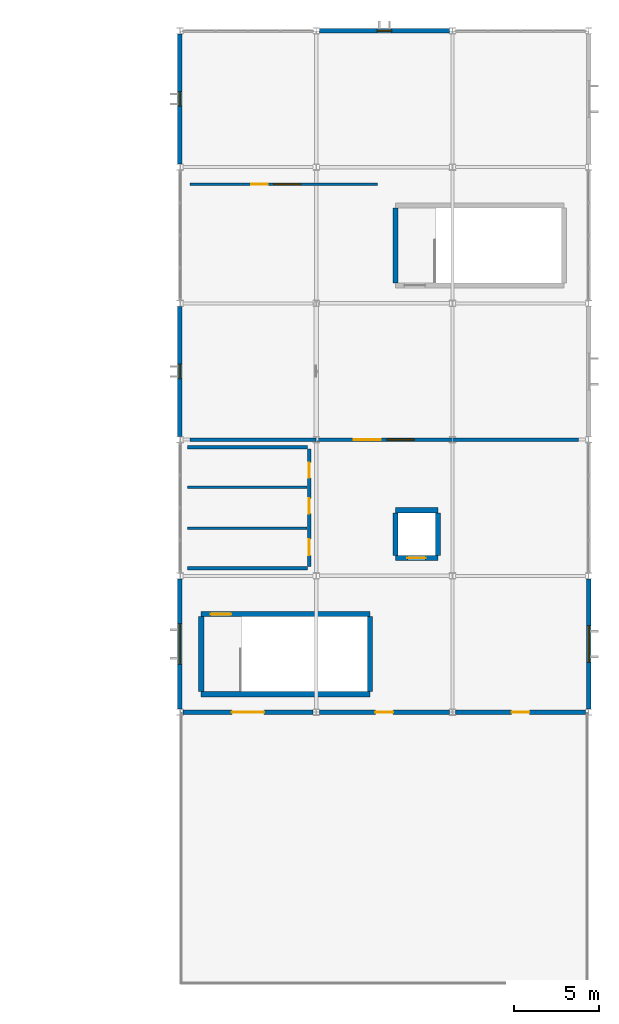
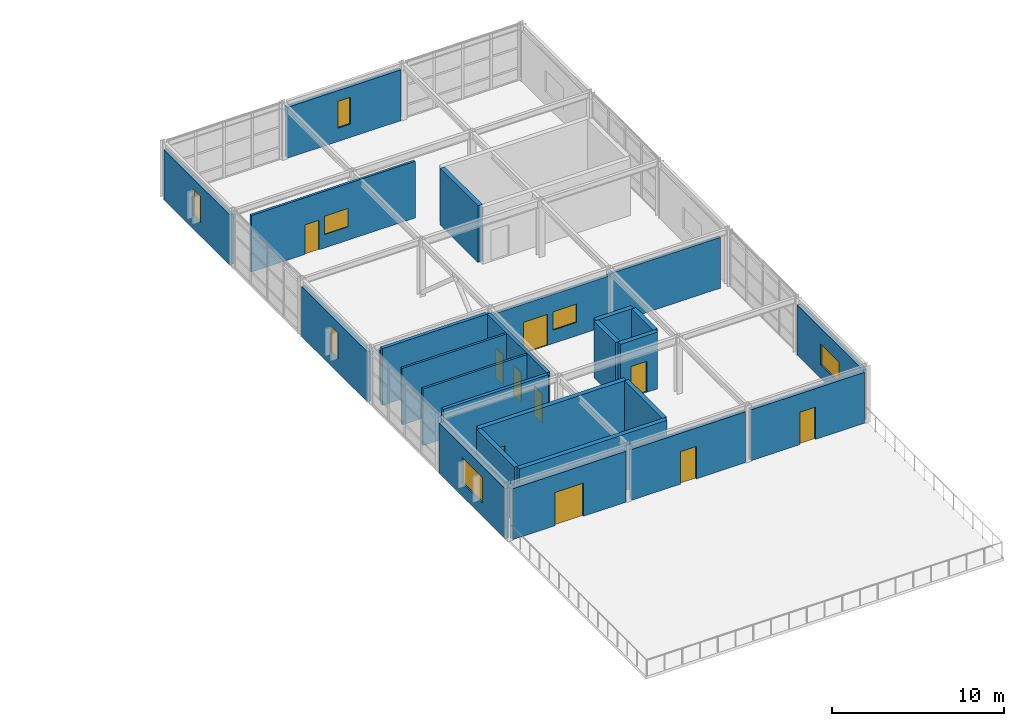
# One storey, part 29 of 34: 26 walls, 10 doors, 7 windows, 17 openings.
"""IFC4 building model written with IfcOpenShell, lengths in metres."""

from ifc_helpers import new_model, si_unit, direction, frame, frame_2d, origin, place, context, subcontext, project, spatial, rectangle, extrude, material, layer, layer_set, type_object, element, fill, save


model = new_model("IFC4")

# Units and contexts
model_context = context("Model", 3, precision=1e-05, world=origin(), true_north=direction((0.0, 1.0)))
body_context = subcontext(model_context, "Body", "Model", "MODEL_VIEW")
ifc_project = project(units=[si_unit("LENGTHUNIT", "METRE"), si_unit("AREAUNIT", "SQUARE_METRE"), si_unit("VOLUMEUNIT", "CUBIC_METRE"), si_unit("PLANEANGLEUNIT", "RADIAN"), si_unit("MASSUNIT", "GRAM", prefix="KILO")], contexts=[model_context])

# Site, building, storey
site_placement = place(None, origin())
site = spatial("IfcSite", under=ifc_project, at=site_placement, CompositionType="ELEMENT")
building_placement = place(site_placement, origin())
building = spatial("IfcBuilding", under=site, at=building_placement, Name="Varnela Railside Interchange", CompositionType="ELEMENT")
storey_placement = place(building_placement, frame((0.0, 0.0, 19.60009765625)))
storey = spatial("IfcBuildingStorey", under=building, at=storey_placement, Name="L04", CompositionType="ELEMENT", Elevation=19.60009765625)

# Walls
ifc_material_1 = material(Name="Gypsum acoustic board")
ifc_layer_1 = layer(ifc_material_1, 0.14990234375)
ifc_layer_set_1 = layer_set([ifc_layer_1], Name="Gypsum acoustic board")
wall_type_1 = type_object("IfcWallType", Name="Acoustic Drywall Partition IW-01", PredefinedType="PARTITIONING", material=ifc_layer_set_1)
for number, where, z_axis, x_axis, name in (
    (1, (116.449951171875, 64.800048828125, 0.0), (0.0, 0.0, 1.0), (1.0, 0.0, 0.0), "Acoustic Drywall Partition IW-01 (L04) (WL-0901)"),
    (2, (116.449951171875, 67.199951171875, 0.0), (0.0, 0.0, 1.0), (1.0, 0.0, 0.0), "Acoustic Drywall Partition IW-01 (L04) (WL-0902)"),
):
    element("IfcWall", number, at=place(storey_placement, frame(where, z_axis=z_axis, x_axis=x_axis)), inside=storey, type_object=wall_type_1, Name=name, PredefinedType="PARTITIONING", context=body_context, shape_type="SweptSolid", body=[
        extrude(rectangle(XDim=7.0, YDim=0.14990234375, at=frame_2d((3.5, 0.0))), origin(), (0.0, 0.0, 1.0), 4.02001953125),
    ])

# Wall, openings, door, window
wall_1_placement = place(storey_placement, frame((116.60009765625, 85.0, 0.0), z_axis=(0.0, 0.0, 1.0), x_axis=(1.0, 0.0, 0.0)))
wall_1 = element("IfcWall", 3, at=wall_1_placement, inside=storey, type_object=wall_type_1, Name="Acoustic Drywall Partition IW-01 (L04) (WL-0906)", PredefinedType="PARTITIONING", context=body_context, shape_type="SweptSolid", body=[
    extrude(rectangle(XDim=11.0, YDim=0.14990234375, at=frame_2d((5.5, 0.0))), origin(), (0.0, 0.0, 1.0), 4.02001953125),
])
opening_1_placement = place(wall_1_placement, frame((3.60009765625, 0.0, 0.0)))
opening_1 = element("IfcOpeningElement", 4, at=opening_1_placement, cuts=wall_1, Name="Opening D-275", PredefinedType="OPENING", context=body_context, shape_type="SweptSolid", body=[
    extrude(rectangle(XDim=0.949951171875, YDim=2.10009765625, at=frame_2d((0.47509765625, 1.050048828125))), frame((0.0, 0.0849609375, 0.0), z_axis=(0.0, -1.0, 0.0), x_axis=(1.0, 0.0, 0.0)), (0.0, 0.0, 1.0), 0.169921875),
])
opening_2_placement = place(wall_1_placement, frame((4.89990234375, 0.0, 0.949951171875)))
opening_2 = element("IfcOpeningElement", 5, at=opening_2_placement, cuts=wall_1, Name="Opening IW-018", PredefinedType="OPENING", context=body_context, shape_type="SweptSolid", body=[
    extrude(rectangle(XDim=1.60009765625, YDim=1.300048828125, at=frame_2d((0.800048828125, 0.64990234375))), frame((0.0, 0.0849609375, 0.0), z_axis=(0.0, -1.0, 0.0), x_axis=(1.0, 0.0, 0.0)), (0.0, 0.0, 1.0), 0.169921875),
])
ifc_material_2 = material(Name="Timber solid core", Category="wood")
door_type_1 = type_object("IfcDoorType", Name="DR-SGL-950-ACC", OperationType="NOTDEFINED", PredefinedType="DOOR", material=ifc_material_2)
door_1_placement = place(opening_1_placement, origin())
door_1 = element("IfcDoor", 6, at=door_1_placement, inside=storey, type_object=door_type_1, Name="Door D-275", OperationType="SINGLE_SWING_LEFT", OverallHeight=2.10009765625, OverallWidth=0.949951171875, PredefinedType="DOOR", context=body_context, shape_type="SweptSolid", body=[
    extrude(rectangle(XDim=0.949951171875, YDim=2.10009765625, at=frame_2d((0.47509765625, 1.050048828125))), frame((0.0, 0.02490234375, 0.0), z_axis=(0.0, -1.0, 0.0), x_axis=(1.0, 0.0, 0.0)), (0.0, 0.0, 1.0), 0.050048828125),
])
fill(opening_1, door_1)
ifc_material_3 = material(Name="Glass laminated double", Category="glass")
window_type_1 = type_object("IfcWindowType", Name="Interior Acoustic Vision Window IW-WN1", PartitioningType="SINGLE_PANEL", PredefinedType="WINDOW", material=ifc_material_3)
window_1_placement = place(opening_2_placement, origin())
window_1 = element("IfcWindow", 7, at=window_1_placement, inside=storey, type_object=window_type_1, Name="Window IW-018", OverallHeight=1.300048828125, OverallWidth=1.60009765625, PartitioningType="SINGLE_PANEL", PredefinedType="WINDOW", context=body_context, shape_type="SweptSolid", body=[
    extrude(rectangle(XDim=1.60009765625, YDim=1.300048828125, at=frame_2d((0.800048828125, 0.64990234375))), frame((0.0, 0.030029296875, 0.0), z_axis=(0.0, -1.0, 0.0), x_axis=(1.0, 0.0, 0.0)), (0.0, 0.0, 1.0), 0.06005859375),
])
fill(opening_2, window_1)

# Wall
ifc_layer_2 = layer(ifc_material_1, 0.179931640625)
ifc_layer_set_2 = layer_set([ifc_layer_2], Name="Gypsum acoustic board")
wall_type_2 = type_object("IfcWallType", Name="Double-Stud Corridor Wall IW-02", PredefinedType="PARTITIONING", material=ifc_layer_set_2)
wall_2_placement = place(storey_placement, frame((116.60009765625, 70.0, 0.0), z_axis=(0.0, 0.0, 1.0), x_axis=(1.0, 0.0, 0.0)))
element("IfcWall", 8, at=wall_2_placement, inside=storey, type_object=wall_type_2, Name="Double-Stud Corridor Wall IW-02 (L04) (WL-0898)", PredefinedType="PARTITIONING", context=body_context, shape_type="SweptSolid", body=[
    extrude(rectangle(XDim=7.39990234375, YDim=0.199951171875, at=frame_2d((3.699951171875, 0.0))), origin(), (0.0, 0.0, 1.0), 3.60986328125),
])

# Wall, openings, door, window
wall_3_placement = place(storey_placement, frame((124.0, 70.0, 0.0), z_axis=(0.0, 0.0, 1.0), x_axis=(1.0, 0.0, 0.0)))
wall_3 = element("IfcWall", 9, at=wall_3_placement, inside=storey, type_object=wall_type_2, Name="Double-Stud Corridor Wall IW-02 (L04) (WL-0899)", PredefinedType="PARTITIONING", context=body_context, shape_type="SweptSolid", body=[
    extrude(rectangle(XDim=8.0, YDim=0.199951171875, at=frame_2d((4.0, 0.0))), origin(), (0.0, 0.0, 1.0), 3.48681640625),
])
opening_3_placement = place(wall_3_placement, frame((2.199951171875, 0.0, 0.0)))
opening_3 = element("IfcOpeningElement", 10, at=opening_3_placement, cuts=wall_3, Name="Opening D-274", PredefinedType="OPENING", context=body_context, shape_type="SweptSolid", body=[
    extrude(rectangle(XDim=1.60009765625, YDim=2.199951171875, at=frame_2d((0.800048828125, 1.10009765625))), frame((0.0, 0.10986328125, 0.0), z_axis=(0.0, -1.0, 0.0), x_axis=(1.0, 0.0, 0.0)), (0.0, 0.0, 1.0), 0.219970703125),
])
opening_4_placement = place(wall_3_placement, frame((4.14990234375, 0.0, 0.949951171875)))
opening_4 = element("IfcOpeningElement", 11, at=opening_4_placement, cuts=wall_3, Name="Opening IW-017", PredefinedType="OPENING", context=body_context, shape_type="SweptSolid", body=[
    extrude(rectangle(XDim=1.60009765625, YDim=1.300048828125, at=frame_2d((0.800048828125, 0.64990234375))), frame((0.0, 0.10986328125, 0.0), z_axis=(0.0, -1.0, 0.0), x_axis=(1.0, 0.0, 0.0)), (0.0, 0.0, 1.0), 0.219970703125),
])
door_type_2 = type_object("IfcDoorType", Name="DR-DBL-1600", OperationType="DOUBLE_DOOR_SINGLE_SWING", PredefinedType="DOOR", material=ifc_material_3)
door_2_placement = place(opening_3_placement, origin())
door_2 = element("IfcDoor", 12, at=door_2_placement, inside=storey, type_object=door_type_2, Name="Door D-274", OperationType="DOUBLE_DOOR_SINGLE_SWING", OverallHeight=2.199951171875, OverallWidth=1.60009765625, PredefinedType="DOOR", context=body_context, shape_type="SweptSolid", body=[
    extrude(rectangle(XDim=1.60009765625, YDim=2.199951171875, at=frame_2d((0.800048828125, 1.10009765625))), frame((0.0, 0.02490234375, 0.0), z_axis=(0.0, -1.0, 0.0), x_axis=(1.0, 0.0, 0.0)), (0.0, 0.0, 1.0), 0.050048828125),
])
fill(opening_3, door_2)
window_2_placement = place(opening_4_placement, origin())
window_2 = element("IfcWindow", 13, at=window_2_placement, inside=storey, type_object=window_type_1, Name="Window IW-017", OverallHeight=1.300048828125, OverallWidth=1.60009765625, PartitioningType="SINGLE_PANEL", PredefinedType="WINDOW", context=body_context, shape_type="SweptSolid", body=[
    extrude(rectangle(XDim=1.60009765625, YDim=1.300048828125, at=frame_2d((0.800048828125, 0.64990234375))), frame((0.0, 0.030029296875, 0.0), z_axis=(0.0, -1.0, 0.0), x_axis=(1.0, 0.0, 0.0)), (0.0, 0.0, 1.0), 0.06005859375),
])
fill(opening_4, window_2)

# Wall
wall_4_placement = place(storey_placement, frame((132.0, 70.0, 0.0), z_axis=(0.0, 0.0, 1.0), x_axis=(1.0, 0.0, 0.0)))
element("IfcWall", 14, at=wall_4_placement, inside=storey, type_object=wall_type_2, Name="Double-Stud Corridor Wall IW-02 (L04) (WL-0900)", PredefinedType="PARTITIONING", context=body_context, shape_type="SweptSolid", body=[
    extrude(rectangle(XDim=7.39990234375, YDim=0.199951171875, at=frame_2d((3.699951171875, 0.0))), origin(), (0.0, 0.0, 1.0), 3.60986328125),
])

# Wall, openings, doors
ifc_material_4 = material(Name="Masonry concrete block", Category="masonry")
ifc_layer_3 = layer(ifc_material_4, 0.2099609375)
ifc_layer_set_3 = layer_set([ifc_layer_3], Name="Masonry concrete block")
wall_type_3 = type_object("IfcWallType", Name="Sanitary Plumbing Chase Wall IW-04", PredefinedType="PLUMBINGWALL", material=ifc_layer_set_3)
wall_5_placement = place(storey_placement, frame((123.60009765625, 62.550048828125, 0.0), z_axis=(0.0, 0.0, 1.0), x_axis=(0.0, 1.0, 0.0)))
wall_5 = element("IfcWall", 15, at=wall_5_placement, inside=storey, type_object=wall_type_3, Name="Sanitary Plumbing Chase Wall IW-04 (L04) (WL-0903)", PredefinedType="PLUMBINGWALL", context=body_context, shape_type="SweptSolid", body=[
    extrude(rectangle(XDim=6.89990234375, YDim=0.219970703125, at=frame_2d((3.449951171875, 0.0))), origin(), (0.0, 0.0, 1.0), 4.02001953125),
])
opening_5_placement = place(wall_5_placement, frame((0.64990234375, 0.0, 0.0)))
opening_5 = element("IfcOpeningElement", 16, at=opening_5_placement, cuts=wall_5, Name="Opening D-271", PredefinedType="OPENING", context=body_context, shape_type="SweptSolid", body=[
    extrude(rectangle(XDim=0.949951171875, YDim=2.10009765625, at=frame_2d((0.47509765625, 1.050048828125))), frame((0.0, 0.119873046875, 0.0), z_axis=(0.0, -1.0, 0.0), x_axis=(1.0, 0.0, 0.0)), (0.0, 0.0, 1.0), 0.239990234375),
])
opening_6_placement = place(wall_5_placement, frame((3.10009765625, 0.0, 0.0)))
opening_6 = element("IfcOpeningElement", 17, at=opening_6_placement, cuts=wall_5, Name="Opening D-272", PredefinedType="OPENING", context=body_context, shape_type="SweptSolid", body=[
    extrude(rectangle(XDim=0.89990234375, YDim=2.10009765625, at=frame_2d((0.449951171875, 1.050048828125))), frame((0.0, 0.119873046875, 0.0), z_axis=(0.0, -1.0, 0.0), x_axis=(1.0, 0.0, 0.0)), (0.0, 0.0, 1.0), 0.239990234375),
])
opening_7_placement = place(wall_5_placement, frame((5.199951171875, 0.0, 0.0)))
opening_7 = element("IfcOpeningElement", 18, at=opening_7_placement, cuts=wall_5, Name="Opening D-273", PredefinedType="OPENING", context=body_context, shape_type="SweptSolid", body=[
    extrude(rectangle(XDim=0.89990234375, YDim=2.10009765625, at=frame_2d((0.449951171875, 1.050048828125))), frame((0.0, 0.119873046875, 0.0), z_axis=(0.0, -1.0, 0.0), x_axis=(1.0, 0.0, 0.0)), (0.0, 0.0, 1.0), 0.239990234375),
])
door_type_3 = type_object("IfcDoorType", Name="DR-SGL-900", OperationType="NOTDEFINED", PredefinedType="DOOR", material=ifc_material_2)
door_3_placement = place(opening_6_placement, origin())
door_3 = element("IfcDoor", 19, at=door_3_placement, inside=storey, type_object=door_type_3, Name="Door D-272", OperationType="SINGLE_SWING_LEFT", OverallHeight=2.10009765625, OverallWidth=0.89990234375, PredefinedType="DOOR", context=body_context, shape_type="SweptSolid", body=[
    extrude(rectangle(XDim=0.89990234375, YDim=2.10009765625, at=frame_2d((0.449951171875, 1.050048828125))), frame((0.0, 0.02490234375, 0.0), z_axis=(0.0, -1.0, 0.0), x_axis=(1.0, 0.0, 0.0)), (0.0, 0.0, 1.0), 0.050048828125),
])
fill(opening_6, door_3)
door_4_placement = place(opening_7_placement, origin())
door_4 = element("IfcDoor", 20, at=door_4_placement, inside=storey, type_object=door_type_3, Name="Door D-273", OperationType="SINGLE_SWING_RIGHT", OverallHeight=2.10009765625, OverallWidth=0.89990234375, PredefinedType="DOOR", context=body_context, shape_type="SweptSolid", body=[
    extrude(rectangle(XDim=0.89990234375, YDim=2.10009765625, at=frame_2d((0.449951171875, 1.050048828125))), frame((0.0, 0.02490234375, 0.0), z_axis=(0.0, -1.0, 0.0), x_axis=(1.0, 0.0, 0.0)), (0.0, 0.0, 1.0), 0.050048828125),
])
fill(opening_7, door_4)
door_5_placement = place(opening_5_placement, origin())
door_5 = element("IfcDoor", 21, at=door_5_placement, inside=storey, type_object=door_type_1, Name="Door D-271", OperationType="SINGLE_SWING_RIGHT", OverallHeight=2.10009765625, OverallWidth=0.949951171875, PredefinedType="DOOR", context=body_context, shape_type="SweptSolid", body=[
    extrude(rectangle(XDim=0.949951171875, YDim=2.10009765625, at=frame_2d((0.47509765625, 1.050048828125))), frame((0.0, 0.02490234375, 0.0), z_axis=(0.0, -1.0, 0.0), x_axis=(1.0, 0.0, 0.0)), (0.0, 0.0, 1.0), 0.050048828125),
])
fill(opening_5, door_5)

# Walls
for number, where, z_axis, x_axis, name in (
    (22, (116.449951171875, 69.550048828125, 0.0), (0.0, 0.0, 1.0), (1.0, 0.0, 0.0), "Sanitary Plumbing Chase Wall IW-04 (L04) (WL-0904)"),
    (23, (116.449951171875, 62.449951171875, 0.0), (0.0, 0.0, 1.0), (1.0, 0.0, 0.0), "Sanitary Plumbing Chase Wall IW-04 (L04) (WL-0905)"),
):
    element("IfcWall", number, at=place(storey_placement, frame(where, z_axis=z_axis, x_axis=x_axis)), inside=storey, type_object=wall_type_3, Name=name, PredefinedType="PLUMBINGWALL", context=body_context, shape_type="SweptSolid", body=[
        extrude(rectangle(XDim=7.050048828125, YDim=0.219970703125, at=frame_2d((3.52490234375, 0.0))), origin(), (0.0, 0.0, 1.0), 4.02001953125),
    ])

# Wall, opening, door
ifc_material_5 = material(Name="Concrete C50", Category="concrete")
ifc_layer_4 = layer(ifc_material_5, 0.300048828125)
ifc_layer_set_4 = layer_set([ifc_layer_4], Name="Concrete C50")
wall_type_4 = type_object("IfcWallType", Name="Stair & Lift Shaft Wall SW-03", PredefinedType="SHEAR", material=ifc_layer_set_4)
wall_6_placement = place(storey_placement, frame((117.25, 59.75, 0.0), z_axis=(0.0, 0.0, 1.0), x_axis=(1.0, 0.0, 0.0)))
wall_6 = element("IfcWall", 24, at=wall_6_placement, inside=storey, type_object=wall_type_4, Name="Stair & Lift Shaft Wall SW-03 (L04) (WL-0918)", PredefinedType="SHEAR", context=body_context, shape_type="SweptSolid", body=[
    extrude(rectangle(XDim=9.89990234375, YDim=0.300048828125, at=frame_2d((4.949951171875, 0.0))), origin(), (0.0, 0.0, 1.0), 4.02001953125),
])
opening_8_placement = place(wall_6_placement, frame((0.550048828125, 0.0, 0.0)))
opening_8 = element("IfcOpeningElement", 25, at=opening_8_placement, cuts=wall_6, Name="Opening D-265", PredefinedType="OPENING", context=body_context, shape_type="SweptSolid", body=[
    extrude(rectangle(XDim=1.199951171875, YDim=2.199951171875, at=frame_2d((0.60009765625, 1.10009765625))), frame((0.0, 0.159912109375, 0.0), z_axis=(0.0, -1.0, 0.0), x_axis=(1.0, 0.0, 0.0)), (0.0, 0.0, 1.0), 0.320068359375),
])
ifc_material_6 = material(Name="Steel AR 350 (350 MPa)", Category="steel")
door_type_4 = type_object("IfcDoorType", Name="DR-SGL-1200-FD90", OperationType="NOTDEFINED", PredefinedType="DOOR", material=ifc_material_6)
door_6_placement = place(opening_8_placement, frame((1.199951171875, 0.0, 0.0), z_axis=(0.0, 0.0, 1.0), x_axis=(-1.0, 0.0, 0.0)))
door_6 = element("IfcDoor", 26, at=door_6_placement, inside=storey, type_object=door_type_4, Name="Door D-265", OperationType="SINGLE_SWING_RIGHT", OverallHeight=2.199951171875, OverallWidth=1.199951171875, PredefinedType="DOOR", context=body_context, shape_type="SweptSolid", body=[
    extrude(rectangle(XDim=1.199951171875, YDim=2.199951171875, at=frame_2d((0.60009765625, 1.10009765625))), frame((0.0, 0.02490234375, 0.0), z_axis=(0.0, -1.0, 0.0), x_axis=(1.0, 0.0, 0.0)), (0.0, 0.0, 1.0), 0.050048828125),
])
fill(opening_8, door_6)

# Walls
wall_7_placement = place(storey_placement, frame((117.25, 55.050048828125, 0.0), z_axis=(0.0, 0.0, 1.0), x_axis=(1.0, 0.0, 0.0)))
element("IfcWall", 27, at=wall_7_placement, inside=storey, type_object=wall_type_4, Name="Stair & Lift Shaft Wall SW-03 (L04) (WL-0919)", PredefinedType="SHEAR", context=body_context, shape_type="SweptSolid", body=[
    extrude(rectangle(XDim=9.89990234375, YDim=0.300048828125, at=frame_2d((4.949951171875, 0.0))), origin(), (0.0, 0.0, 1.0), 4.02001953125),
])
for number, where, z_axis, x_axis, name in (
    (28, (117.25, 55.199951171875, 0.0), (0.0, 0.0, 1.0), (0.0, 1.0, 0.0), "Stair & Lift Shaft Wall SW-03 (L04) (WL-0920)"),
    (29, (127.14990234375, 55.199951171875, 0.0), (0.0, 0.0, 1.0), (0.0, 1.0, 0.0), "Stair & Lift Shaft Wall SW-03 (L04) (WL-0917)"),
    (30, (128.64990234375, 79.199951171875, 0.0), (0.0, 0.0, 1.0), (0.0, 1.0, 0.0), "Stair & Lift Shaft Wall SW-03 (L04) (WL-0924)"),
):
    element("IfcWall", number, at=place(storey_placement, frame(where, z_axis=z_axis, x_axis=x_axis)), inside=storey, type_object=wall_type_4, Name=name, PredefinedType="SHEAR", context=body_context, shape_type="SweptSolid", body=[
        extrude(rectangle(XDim=4.400146484375, YDim=0.300048828125, at=frame_2d((2.2001953125, 0.0))), origin(), (0.0, 0.0, 1.0), 4.02001953125),
    ])
wall_8_placement = place(storey_placement, frame((128.64990234375, 65.85009765625, 0.0), z_axis=(0.0, 0.0, 1.0), x_axis=(1.0, 0.0, 0.0)))
element("IfcWall", 31, at=wall_8_placement, inside=storey, type_object=wall_type_4, Name="Stair & Lift Shaft Wall SW-03 (L04) (WL-0914)", PredefinedType="SHEAR", context=body_context, shape_type="SweptSolid", body=[
    extrude(rectangle(XDim=2.5, YDim=0.300048828125, at=frame_2d((1.25, 0.0))), origin(), (0.0, 0.0, 1.0), 4.02001953125),
])

# Wall, opening, door
wall_9_placement = place(storey_placement, frame((128.64990234375, 63.050048828125, 0.0), z_axis=(0.0, 0.0, 1.0), x_axis=(1.0, 0.0, 0.0)))
wall_9 = element("IfcWall", 32, at=wall_9_placement, inside=storey, type_object=wall_type_4, Name="Stair & Lift Shaft Wall SW-03 (L04) (WL-0915)", PredefinedType="SHEAR", context=body_context, shape_type="SweptSolid", body=[
    extrude(rectangle(XDim=2.5, YDim=0.300048828125, at=frame_2d((1.25, 0.0))), origin(), (0.0, 0.0, 1.0), 4.02001953125),
])
opening_9_placement = place(wall_9_placement, frame((0.699951171875, 0.0, 0.0)))
opening_9 = element("IfcOpeningElement", 33, at=opening_9_placement, cuts=wall_9, Name="Opening LD-074", PredefinedType="OPENING", context=body_context, shape_type="SweptSolid", body=[
    extrude(rectangle(XDim=1.080078125, YDim=2.199951171875, at=frame_2d((0.5400390625, 1.10009765625))), frame((0.0, 0.159912109375, 0.0), z_axis=(0.0, -1.0, 0.0), x_axis=(1.0, 0.0, 0.0)), (0.0, 0.0, 1.0), 0.320068359375),
])
door_type_5 = type_object("IfcDoorType", Name="DR-LIFT-1080", OperationType="SLIDING_TO_LEFT", PredefinedType="DOOR", material=ifc_material_6)
door_7_placement = place(opening_9_placement, origin())
door_7 = element("IfcDoor", 34, at=door_7_placement, inside=storey, type_object=door_type_5, Name="Door LD-074", OperationType="SLIDING_TO_LEFT", OverallHeight=2.199951171875, OverallWidth=1.080078125, PredefinedType="DOOR", context=body_context, shape_type="SweptSolid", body=[
    extrude(rectangle(XDim=1.080078125, YDim=2.199951171875, at=frame_2d((0.5400390625, 1.10009765625))), frame((0.0, 0.02490234375, 0.0), z_axis=(0.0, -1.0, 0.0), x_axis=(1.0, 0.0, 0.0)), (0.0, 0.0, 1.0), 0.050048828125),
])
fill(opening_9, door_7)

# Walls
for number, where, z_axis, x_axis, name in (
    (35, (128.64990234375, 63.199951171875, 0.0), (0.0, 0.0, 1.0), (0.0, 1.0, 0.0), "Stair & Lift Shaft Wall SW-03 (L04) (WL-0916)"),
    (36, (131.14990234375, 63.199951171875, 0.0), (0.0, 0.0, 1.0), (0.0, 1.0, 0.0), "Stair & Lift Shaft Wall SW-03 (L04) (WL-0913)"),
):
    element("IfcWall", number, at=place(storey_placement, frame(where, z_axis=z_axis, x_axis=x_axis)), inside=storey, type_object=wall_type_4, Name=name, PredefinedType="SHEAR", context=body_context, shape_type="SweptSolid", body=[
        extrude(rectangle(XDim=2.5, YDim=0.300048828125, at=frame_2d((1.25, 0.0))), origin(), (0.0, 0.0, 1.0), 4.02001953125),
    ])

# Wall, opening, window
ifc_material_7 = material(Name="Concrete C40 precast", Category="concrete")
ifc_layer_5 = layer(ifc_material_7, 0.260009765625)
ifc_layer_set_5 = layer_set([ifc_layer_5], Name="Concrete C40 precast")
wall_type_5 = type_object("IfcWallType", Name="Terracotta Precast Study Facade Wall EW-03", PredefinedType="STANDARD", material=ifc_layer_set_5)
wall_10_placement = place(storey_placement, frame((140.0, 61.820068359375, 0.0), z_axis=(0.0, 0.0, 1.0), x_axis=(0.0, -1.0, 0.0)))
wall_10 = element("IfcWall", 37, at=wall_10_placement, inside=storey, type_object=wall_type_5, Name="Terracotta Precast Study Facade Wall EW-03 (L04) (WL-0885)", PredefinedType="STANDARD", context=body_context, shape_type="SweptSolid", body=[
    extrude(rectangle(XDim=7.64013671875, YDim=0.260009765625, at=frame_2d((3.820068359375, 0.0))), origin(), (0.0, 0.0, 1.0), 3.559814453125),
])
opening_10_placement = place(wall_10_placement, frame((2.7451171875, 0.0, 0.949951171875)))
opening_10 = element("IfcOpeningElement", 38, at=opening_10_placement, cuts=wall_10, Name="Opening W-129", PredefinedType="OPENING", context=body_context, shape_type="SweptSolid", body=[
    extrude(rectangle(XDim=2.14990234375, YDim=1.5, at=frame_2d((1.074951171875, 0.75))), frame((0.0, 0.139892578125, 0.0), z_axis=(0.0, -1.0, 0.0), x_axis=(1.0, 0.0, 0.0)), (0.0, 0.0, 1.0), 0.280029296875),
])
window_type_2 = type_object("IfcWindowType", Name="Cycle Workshop Louvre Win WN-22", PartitioningType="SINGLE_PANEL", PredefinedType="WINDOW", material=ifc_material_3)
window_3_placement = place(opening_10_placement, origin())
window_3 = element("IfcWindow", 39, at=window_3_placement, inside=storey, type_object=window_type_2, Name="Window W-129", OverallHeight=1.5, OverallWidth=2.14990234375, PartitioningType="SINGLE_PANEL", PredefinedType="WINDOW", context=body_context, shape_type="SweptSolid", body=[
    extrude(rectangle(XDim=2.14990234375, YDim=1.5, at=frame_2d((1.074951171875, 0.75))), frame((0.0, 0.030029296875, 0.0), z_axis=(0.0, -1.0, 0.0), x_axis=(1.0, 0.0, 0.0)), (0.0, 0.0, 1.0), 0.06005859375),
])
fill(opening_10, window_3)

# Wall, opening, door
wall_11_placement = place(storey_placement, frame((139.81494140625, 54.0, 0.0), z_axis=(0.0, 0.0, 1.0), x_axis=(-1.0, 0.0, 0.0)))
wall_11 = element("IfcWall", 40, at=wall_11_placement, inside=storey, type_object=wall_type_5, Name="Terracotta Precast Study Facade Wall EW-03 (L04) (WL-0887)", PredefinedType="STANDARD", context=body_context, shape_type="SweptSolid", body=[
    extrude(rectangle(XDim=7.6298828125, YDim=0.260009765625, at=frame_2d((3.81494140625, 0.0))), origin(), (0.0, 0.0, 1.0), 3.60986328125),
])
opening_11_placement = place(wall_11_placement, frame((3.2900390625, 0.0, 0.0)))
opening_11 = element("IfcOpeningElement", 41, at=opening_11_placement, cuts=wall_11, Name="Opening D-024", PredefinedType="OPENING", context=body_context, shape_type="SweptSolid", body=[
    extrude(rectangle(XDim=1.050048828125, YDim=2.300048828125, at=frame_2d((0.52490234375, 1.14990234375))), frame((0.0, 0.139892578125, 0.0), z_axis=(0.0, -1.0, 0.0), x_axis=(1.0, 0.0, 0.0)), (0.0, 0.0, 1.0), 0.280029296875),
])
ifc_material_8 = material(Name="Aluminium 6063-T6", Category="aluminium")
door_type_6 = type_object("IfcDoorType", Name="Terrace Glazed Single Door TD-02", OperationType="SINGLE_SWING_RIGHT", PredefinedType="DOOR", material=ifc_material_8)
door_8_placement = place(opening_11_placement, origin())
door_8 = element("IfcDoor", 42, at=door_8_placement, inside=storey, type_object=door_type_6, Name="Door D-024", OperationType="SINGLE_SWING_RIGHT", OverallHeight=2.300048828125, OverallWidth=1.050048828125, PredefinedType="DOOR", context=body_context, shape_type="SweptSolid", body=[
    extrude(rectangle(XDim=1.050048828125, YDim=2.300048828125, at=frame_2d((0.52490234375, 1.14990234375))), frame((0.0, 0.02490234375, 0.0), z_axis=(0.0, -1.0, 0.0), x_axis=(1.0, 0.0, 0.0)), (0.0, 0.0, 1.0), 0.050048828125),
])
fill(opening_11, door_8)

wall_12_placement = place(storey_placement, frame((131.81494140625, 54.0, 0.0), z_axis=(0.0, 0.0, 1.0), x_axis=(-1.0, 0.0, 0.0)))
wall_12 = element("IfcWall", 43, at=wall_12_placement, inside=storey, type_object=wall_type_5, Name="Terracotta Precast Study Facade Wall EW-03 (L04) (WL-0888)", PredefinedType="STANDARD", context=body_context, shape_type="SweptSolid", body=[
    extrude(rectangle(XDim=7.6298828125, YDim=0.260009765625, at=frame_2d((3.81494140625, 0.0))), origin(), (0.0, 0.0, 1.0), 3.60986328125),
])
opening_12_placement = place(wall_12_placement, frame((3.2900390625, 0.0, 0.0)))
opening_12 = element("IfcOpeningElement", 44, at=opening_12_placement, cuts=wall_12, Name="Opening D-025", PredefinedType="OPENING", context=body_context, shape_type="SweptSolid", body=[
    extrude(rectangle(XDim=1.050048828125, YDim=2.300048828125, at=frame_2d((0.52490234375, 1.14990234375))), frame((0.0, 0.139892578125, 0.0), z_axis=(0.0, -1.0, 0.0), x_axis=(1.0, 0.0, 0.0)), (0.0, 0.0, 1.0), 0.280029296875),
])
door_9_placement = place(opening_12_placement, origin())
door_9 = element("IfcDoor", 45, at=door_9_placement, inside=storey, type_object=door_type_6, Name="Door D-025", OperationType="SINGLE_SWING_RIGHT", OverallHeight=2.300048828125, OverallWidth=1.050048828125, PredefinedType="DOOR", context=body_context, shape_type="SweptSolid", body=[
    extrude(rectangle(XDim=1.050048828125, YDim=2.300048828125, at=frame_2d((0.52490234375, 1.14990234375))), frame((0.0, 0.02490234375, 0.0), z_axis=(0.0, -1.0, 0.0), x_axis=(1.0, 0.0, 0.0)), (0.0, 0.0, 1.0), 0.050048828125),
])
fill(opening_12, door_9)

wall_13_placement = place(storey_placement, frame((123.81494140625, 54.0, 0.0), z_axis=(0.0, 0.0, 1.0), x_axis=(-1.0, 0.0, 0.0)))
wall_13 = element("IfcWall", 46, at=wall_13_placement, inside=storey, type_object=wall_type_5, Name="Terracotta Precast Study Facade Wall EW-03 (L04) (WL-0889)", PredefinedType="STANDARD", context=body_context, shape_type="SweptSolid", body=[
    extrude(rectangle(XDim=7.6298828125, YDim=0.260009765625, at=frame_2d((3.81494140625, 0.0))), origin(), (0.0, 0.0, 1.0), 3.60986328125),
])
opening_13_placement = place(wall_13_placement, frame((2.864990234375, 0.0, 0.0)))
opening_13 = element("IfcOpeningElement", 47, at=opening_13_placement, cuts=wall_13, Name="Opening D-026", PredefinedType="OPENING", context=body_context, shape_type="SweptSolid", body=[
    extrude(rectangle(XDim=1.89990234375, YDim=2.35009765625, at=frame_2d((0.949951171875, 1.175048828125))), frame((0.0, 0.139892578125, 0.0), z_axis=(0.0, -1.0, 0.0), x_axis=(1.0, 0.0, 0.0)), (0.0, 0.0, 1.0), 0.280029296875),
])
door_type_7 = type_object("IfcDoorType", Name="Terrace Glazed Double Door TD-01", OperationType="DOUBLE_DOOR_SINGLE_SWING", PredefinedType="DOOR", material=ifc_material_8)
door_10_placement = place(opening_13_placement, origin())
door_10 = element("IfcDoor", 48, at=door_10_placement, inside=storey, type_object=door_type_7, Name="Door D-026", OperationType="DOUBLE_DOOR_SINGLE_SWING", OverallHeight=2.35009765625, OverallWidth=1.89990234375, PredefinedType="DOOR", context=body_context, shape_type="SweptSolid", body=[
    extrude(rectangle(XDim=1.89990234375, YDim=2.35009765625, at=frame_2d((0.949951171875, 1.175048828125))), frame((0.0, 0.02490234375, 0.0), z_axis=(0.0, -1.0, 0.0), x_axis=(1.0, 0.0, 0.0)), (0.0, 0.0, 1.0), 0.050048828125),
])
fill(opening_13, door_10)

# Wall, opening, window
wall_14_placement = place(storey_placement, frame((116.0, 54.179931640625, 0.0), z_axis=(0.0, 0.0, 1.0), x_axis=(0.0, 1.0, 0.0)))
wall_14 = element("IfcWall", 49, at=wall_14_placement, inside=storey, type_object=wall_type_5, Name="Terracotta Precast Study Facade Wall EW-03 (L04) (WL-0890)", PredefinedType="STANDARD", context=body_context, shape_type="SweptSolid", body=[
    extrude(rectangle(XDim=7.64013671875, YDim=0.260009765625, at=frame_2d((3.820068359375, 0.0))), origin(), (0.0, 0.0, 1.0), 3.559814453125),
])
opening_14_placement = place(wall_14_placement, frame((2.6201171875, 0.0, 0.949951171875)))
opening_14 = element("IfcOpeningElement", 50, at=opening_14_placement, cuts=wall_14, Name="Opening W-130", PredefinedType="OPENING", context=body_context, shape_type="SweptSolid", body=[
    extrude(rectangle(XDim=2.39990234375, YDim=1.800048828125, at=frame_2d((1.199951171875, 0.89990234375))), frame((0.0, 0.139892578125, 0.0), z_axis=(0.0, -1.0, 0.0), x_axis=(1.0, 0.0, 0.0)), (0.0, 0.0, 1.0), 0.280029296875),
])
window_type_3 = type_object("IfcWindowType", Name="Concourse Clerestory Window WN-01", PartitioningType="SINGLE_PANEL", PredefinedType="WINDOW", material=ifc_material_3)
window_4_placement = place(opening_14_placement, origin())
window_4 = element("IfcWindow", 51, at=window_4_placement, inside=storey, type_object=window_type_3, Name="Window W-130", OverallHeight=1.800048828125, OverallWidth=2.39990234375, PartitioningType="SINGLE_PANEL", PredefinedType="WINDOW", context=body_context, shape_type="SweptSolid", body=[
    extrude(rectangle(XDim=2.39990234375, YDim=1.800048828125, at=frame_2d((1.199951171875, 0.89990234375))), frame((0.0, 0.030029296875, 0.0), z_axis=(0.0, -1.0, 0.0), x_axis=(1.0, 0.0, 0.0)), (0.0, 0.0, 1.0), 0.06005859375),
])
fill(opening_14, window_4)

wall_15_placement = place(storey_placement, frame((116.0, 70.179931640625, 0.0), z_axis=(0.0, 0.0, 1.0), x_axis=(0.0, 1.0, 0.0)))
wall_15 = element("IfcWall", 52, at=wall_15_placement, inside=storey, type_object=wall_type_5, Name="Terracotta Precast Study Facade Wall EW-03 (L04) (WL-0891)", PredefinedType="STANDARD", context=body_context, shape_type="SweptSolid", body=[
    extrude(rectangle(XDim=7.64013671875, YDim=0.260009765625, at=frame_2d((3.820068359375, 0.0))), origin(), (0.0, 0.0, 1.0), 3.559814453125),
])
opening_15_placement = place(wall_15_placement, frame((3.39501953125, 0.0, 0.949951171875)))
opening_15 = element("IfcOpeningElement", 53, at=opening_15_placement, cuts=wall_15, Name="Opening W-131", PredefinedType="OPENING", context=body_context, shape_type="SweptSolid", body=[
    extrude(rectangle(XDim=0.85009765625, YDim=1.89990234375, at=frame_2d((0.425048828125, 0.949951171875))), frame((0.0, 0.139892578125, 0.0), z_axis=(0.0, -1.0, 0.0), x_axis=(1.0, 0.0, 0.0)), (0.0, 0.0, 1.0), 0.280029296875),
])
window_type_4 = type_object("IfcWindowType", Name="Archive UV-Filtered Slot WN-21", PartitioningType="SINGLE_PANEL", PredefinedType="WINDOW", material=ifc_material_3)
window_5_placement = place(opening_15_placement, origin())
window_5 = element("IfcWindow", 54, at=window_5_placement, inside=storey, type_object=window_type_4, Name="Window W-131", OverallHeight=1.89990234375, OverallWidth=0.85009765625, PartitioningType="SINGLE_PANEL", PredefinedType="WINDOW", context=body_context, shape_type="SweptSolid", body=[
    extrude(rectangle(XDim=0.85009765625, YDim=1.89990234375, at=frame_2d((0.425048828125, 0.949951171875))), frame((0.0, 0.030029296875, 0.0), z_axis=(0.0, -1.0, 0.0), x_axis=(1.0, 0.0, 0.0)), (0.0, 0.0, 1.0), 0.06005859375),
])
fill(opening_15, window_5)

wall_16_placement = place(storey_placement, frame((116.0, 86.179931640625, 0.0), z_axis=(0.0, 0.0, 1.0), x_axis=(0.0, 1.0, 0.0)))
wall_16 = element("IfcWall", 55, at=wall_16_placement, inside=storey, type_object=wall_type_5, Name="Terracotta Precast Study Facade Wall EW-03 (L04) (WL-0892)", PredefinedType="STANDARD", context=body_context, shape_type="SweptSolid", body=[
    extrude(rectangle(XDim=7.64013671875, YDim=0.260009765625, at=frame_2d((3.820068359375, 0.0))), origin(), (0.0, 0.0, 1.0), 3.559814453125),
])
opening_16_placement = place(wall_16_placement, frame((3.39501953125, 0.0, 0.949951171875)))
opening_16 = element("IfcOpeningElement", 56, at=opening_16_placement, cuts=wall_16, Name="Opening W-132", PredefinedType="OPENING", context=body_context, shape_type="SweptSolid", body=[
    extrude(rectangle(XDim=0.85009765625, YDim=1.89990234375, at=frame_2d((0.425048828125, 0.949951171875))), frame((0.0, 0.139892578125, 0.0), z_axis=(0.0, -1.0, 0.0), x_axis=(1.0, 0.0, 0.0)), (0.0, 0.0, 1.0), 0.280029296875),
])
window_6_placement = place(opening_16_placement, origin())
window_6 = element("IfcWindow", 57, at=window_6_placement, inside=storey, type_object=window_type_4, Name="Window W-132", OverallHeight=1.89990234375, OverallWidth=0.85009765625, PartitioningType="SINGLE_PANEL", PredefinedType="WINDOW", context=body_context, shape_type="SweptSolid", body=[
    extrude(rectangle(XDim=0.85009765625, YDim=1.89990234375, at=frame_2d((0.425048828125, 0.949951171875))), frame((0.0, 0.030029296875, 0.0), z_axis=(0.0, -1.0, 0.0), x_axis=(1.0, 0.0, 0.0)), (0.0, 0.0, 1.0), 0.06005859375),
])
fill(opening_16, window_6)

wall_17_placement = place(storey_placement, frame((124.18505859375, 94.0, 0.0), z_axis=(0.0, 0.0, 1.0), x_axis=(1.0, 0.0, 0.0)))
wall_17 = element("IfcWall", 58, at=wall_17_placement, inside=storey, type_object=wall_type_5, Name="Terracotta Precast Study Facade Wall EW-03 (L04) (WL-0893)", PredefinedType="STANDARD", context=body_context, shape_type="SweptSolid", body=[
    extrude(rectangle(XDim=7.6298828125, YDim=0.260009765625, at=frame_2d((3.81494140625, 0.0))), origin(), (0.0, 0.0, 1.0), 3.60986328125),
])
opening_17_placement = place(wall_17_placement, frame((3.389892578125, 0.0, 0.949951171875)))
opening_17 = element("IfcOpeningElement", 59, at=opening_17_placement, cuts=wall_17, Name="Opening W-133", PredefinedType="OPENING", context=body_context, shape_type="SweptSolid", body=[
    extrude(rectangle(XDim=0.85009765625, YDim=1.89990234375, at=frame_2d((0.425048828125, 0.949951171875))), frame((0.0, 0.139892578125, 0.0), z_axis=(0.0, -1.0, 0.0), x_axis=(1.0, 0.0, 0.0)), (0.0, 0.0, 1.0), 0.280029296875),
])
window_7_placement = place(opening_17_placement, origin())
window_7 = element("IfcWindow", 60, at=window_7_placement, inside=storey, type_object=window_type_4, Name="Window W-133", OverallHeight=1.89990234375, OverallWidth=0.85009765625, PartitioningType="SINGLE_PANEL", PredefinedType="WINDOW", context=body_context, shape_type="SweptSolid", body=[
    extrude(rectangle(XDim=0.85009765625, YDim=1.89990234375, at=frame_2d((0.425048828125, 0.949951171875))), frame((0.0, 0.030029296875, 0.0), z_axis=(0.0, -1.0, 0.0), x_axis=(1.0, 0.0, 0.0)), (0.0, 0.0, 1.0), 0.06005859375),
])
fill(opening_17, window_7)

save(model, "model.ifc")
